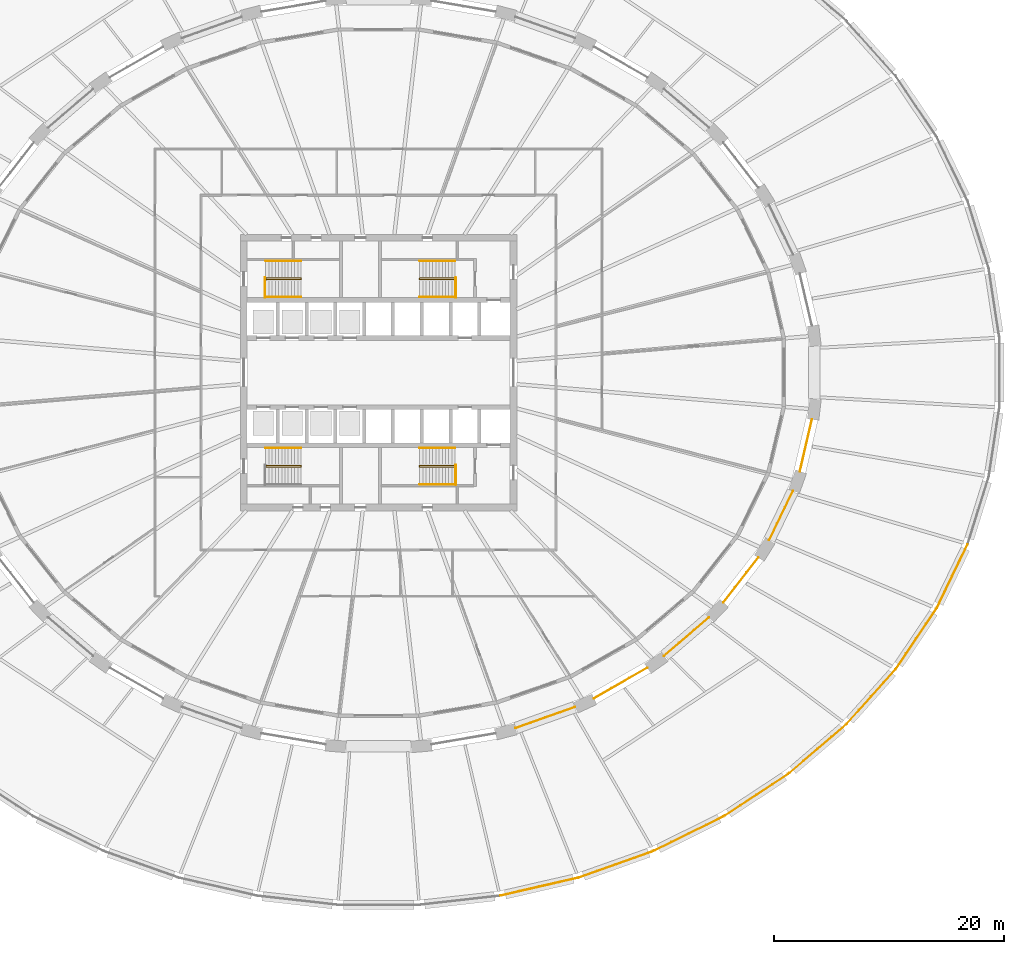
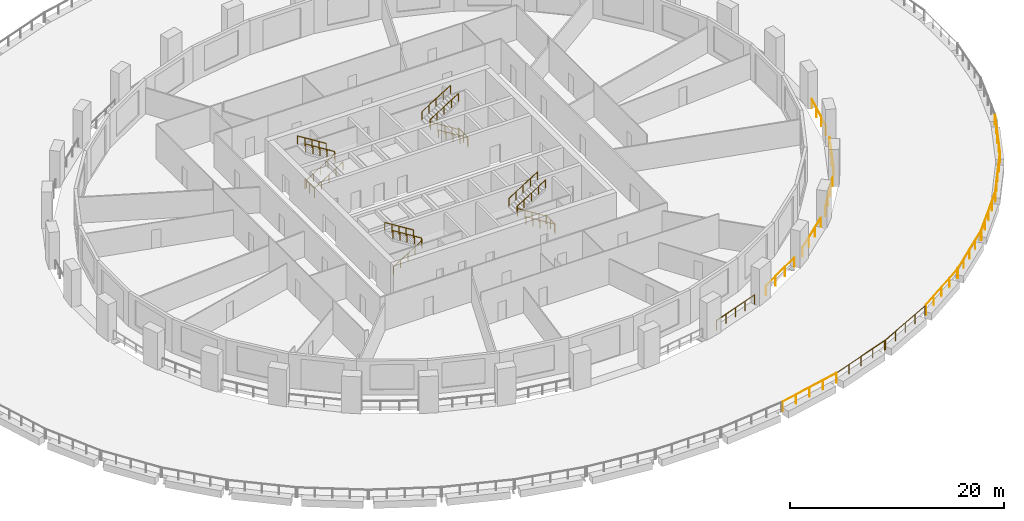
# One storey, part 13 of 16: 28 railings.
"""IFC4 building model written with IfcOpenShell, lengths in metres."""

from ifc_helpers import new_model, si_unit, direction, frame, origin, origin_2d, place, context, subcontext, project, spatial, circle, extrude, material, type_object, element, save


model = new_model("IFC4")

# Units and contexts
model_context = context("Model", 3, precision=1e-05, world=origin(), true_north=direction((0.0, 1.0)))
body_context = subcontext(model_context, "Body", "Model", "MODEL_VIEW")
ifc_project = project(units=[si_unit("LENGTHUNIT", "METRE"), si_unit("AREAUNIT", "SQUARE_METRE"), si_unit("VOLUMEUNIT", "CUBIC_METRE"), si_unit("PLANEANGLEUNIT", "RADIAN"), si_unit("MASSUNIT", "GRAM", prefix="KILO")], contexts=[model_context])

# Site, building, storey
site_placement = place(None, origin())
site = spatial("IfcSite", under=ifc_project, at=site_placement, CompositionType="ELEMENT")
building_placement = place(site_placement, origin())
building = spatial("IfcBuilding", under=site, at=building_placement, Name="Halqa Exchange Tower", CompositionType="ELEMENT")
storey_placement = place(building_placement, frame((0.0, 0.0, 23.5)))
storey = spatial("IfcBuildingStorey", under=building, at=storey_placement, Name="L04", CompositionType="ELEMENT", Elevation=23.5)

# Railings
ifc_material = material(Name="Stainless steel", Category="steel")
railing_type_1 = type_object("IfcRailingType", Name="Guard 1100 stainless steel", PredefinedType="GUARDRAIL", material=ifc_material)
railing_1_placement = place(storey_placement, frame((11.87890625, -30.867919921875, 0.0)))
element("IfcRailing", 1, at=railing_1_placement, inside=storey, type_object=railing_type_1, Name="Loggia guard 26", PredefinedType="GUARDRAIL", context=body_context, shape_type="SweptSolid", body=[
    extrude(circle(Radius=0.02392578125, at=origin_2d()), frame((0.0, 0.0, 1.076171875), z_axis=(0.942364586874, 0.334587784305, 0.0), x_axis=(-0.334587784305, 0.942364586874, 0.0)), (0.0, 0.0, 1.0), 5.503173828125),
    extrude(circle(Radius=0.02099609375, at=origin_2d()), origin(), (0.0, 0.0, 1.0), 1.052001953125),
    extrude(circle(Radius=0.02099609375, at=origin_2d()), frame((1.29638671875, 0.46044921875, 0.0)), (0.0, 0.0, 1.0), 1.052001953125),
    extrude(circle(Radius=0.02099609375, at=origin_2d()), frame((2.593017578125, 0.920654296875, 0.0)), (0.0, 0.0, 1.0), 1.052001953125),
    extrude(circle(Radius=0.02099609375, at=origin_2d()), frame((3.8896484375, 1.380859375, 0.0)), (0.0, 0.0, 1.0), 1.052001953125),
    extrude(circle(Radius=0.02099609375, at=origin_2d()), frame((5.18603515625, 1.84130859375, 0.0)), (0.0, 0.0, 1.0), 1.052001953125),
])
railing_2_placement = place(storey_placement, frame((18.694091796875, -28.278076171875, 0.0)))
element("IfcRailing", 2, at=railing_2_placement, inside=storey, type_object=railing_type_1, Name="Loggia guard 27", PredefinedType="GUARDRAIL", context=body_context, shape_type="SweptSolid", body=[
    extrude(circle(Radius=0.02392578125, at=origin_2d()), frame((0.0, 0.0, 1.076171875), z_axis=(0.867752964109, 0.496995767869, 0.0), x_axis=(-0.496995767869, 0.867752964109, 0.0)), (0.0, 0.0, 1.0), 5.337646484375),
    extrude(circle(Radius=0.02099609375, at=origin_2d()), origin(), (0.0, 0.0, 1.0), 1.052001953125),
    extrude(circle(Radius=0.02099609375, at=origin_2d()), frame((1.5439453125, 0.88427734375, 0.0)), (0.0, 0.0, 1.0), 1.052001953125),
    extrude(circle(Radius=0.02099609375, at=origin_2d()), frame((3.087890625, 1.7685546875, 0.0)), (0.0, 0.0, 1.0), 1.052001953125),
    extrude(circle(Radius=0.02099609375, at=origin_2d()), frame((4.6318359375, 2.65283203125, 0.0)), (0.0, 0.0, 1.0), 1.052001953125),
])
railing_3_placement = place(storey_placement, frame((24.790283203125, -24.59228515625, 0.0)))
element("IfcRailing", 3, at=railing_3_placement, inside=storey, type_object=railing_type_1, Name="Loggia guard 28", PredefinedType="GUARDRAIL", context=body_context, shape_type="SweptSolid", body=[
    extrude(circle(Radius=0.02392578125, at=origin_2d()), frame((0.0, 0.0, 1.076171875), z_axis=(0.759266665229, 0.650779633265, 0.0), x_axis=(-0.650779633265, 0.759266665229, 0.0)), (0.0, 0.0, 1.0), 5.1376953125),
    extrude(circle(Radius=0.02099609375, at=origin_2d()), origin(), (0.0, 0.0, 1.0), 1.052001953125),
    extrude(circle(Radius=0.02099609375, at=origin_2d()), frame((1.30029296875, 1.114501953125, 0.0)), (0.0, 0.0, 1.0), 1.052001953125),
    extrude(circle(Radius=0.02099609375, at=origin_2d()), frame((2.6005859375, 2.22900390625, 0.0)), (0.0, 0.0, 1.0), 1.052001953125),
    extrude(circle(Radius=0.02099609375, at=origin_2d()), frame((3.90087890625, 3.343505859375, 0.0)), (0.0, 0.0, 1.0), 1.052001953125),
])
railing_4_placement = place(storey_placement, frame((29.927734375, -19.953369140625, 0.0)))
element("IfcRailing", 4, at=railing_4_placement, inside=storey, type_object=railing_type_1, Name="Loggia guard 29", PredefinedType="GUARDRAIL", context=body_context, shape_type="SweptSolid", body=[
    extrude(circle(Radius=0.02392578125, at=origin_2d()), frame((0.0, 0.0, 1.076171875), z_axis=(0.614810778124, 0.78867465225, 0.0), x_axis=(-0.78867465225, 0.614810778124, 0.0)), (0.0, 0.0, 1.0), 4.931640625),
    extrude(circle(Radius=0.02099609375, at=origin_2d()), origin(), (0.0, 0.0, 1.0), 1.052001953125),
    extrude(circle(Radius=0.02099609375, at=origin_2d()), frame((1.0107421875, 1.29638671875, 0.0)), (0.0, 0.0, 1.0), 1.052001953125),
    extrude(circle(Radius=0.02099609375, at=origin_2d()), frame((2.021240234375, 2.593017578125, 0.0)), (0.0, 0.0, 1.0), 1.052001953125),
    extrude(circle(Radius=0.02099609375, at=origin_2d()), frame((3.031982421875, 3.889404296875, 0.0)), (0.0, 0.0, 1.0), 1.052001953125),
])
railing_5_placement = place(storey_placement, frame((33.904541015625, -14.543701171875, 0.0)))
element("IfcRailing", 5, at=railing_5_placement, inside=storey, type_object=railing_type_1, Name="Loggia guard 30", PredefinedType="GUARDRAIL", context=body_context, shape_type="SweptSolid", body=[
    extrude(circle(Radius=0.02392578125, at=origin_2d()), frame((0.0, 0.0, 1.076171875), z_axis=(0.435129787392, 0.900367740495, 0.0), x_axis=(-0.900367740495, 0.435129787392, 0.0)), (0.0, 0.0, 1.0), 4.751708984375),
    extrude(circle(Radius=0.02099609375, at=origin_2d()), origin(), (0.0, 0.0, 1.0), 1.052001953125),
    extrude(circle(Radius=0.02099609375, at=origin_2d()), frame((0.689208984375, 1.426025390625, 0.0)), (0.0, 0.0, 1.0), 1.052001953125),
    extrude(circle(Radius=0.02099609375, at=origin_2d()), frame((1.37841796875, 2.852294921875, 0.0)), (0.0, 0.0, 1.0), 1.052001953125),
    extrude(circle(Radius=0.02099609375, at=origin_2d()), frame((2.067626953125, 4.2783203125, 0.0)), (0.0, 0.0, 1.0), 1.052001953125),
])
railing_6_placement = place(storey_placement, frame((36.567138671875, -8.578369140625, 0.0)))
element("IfcRailing", 6, at=railing_6_placement, inside=storey, type_object=railing_type_1, Name="Loggia guard 31", PredefinedType="GUARDRAIL", context=body_context, shape_type="SweptSolid", body=[
    extrude(circle(Radius=0.02392578125, at=origin_2d()), frame((0.0, 0.0, 1.076171875), z_axis=(0.22605731834, 0.974114001965, 0.0), x_axis=(-0.974114001965, 0.22605731834, 0.0)), (0.0, 0.0, 1.0), 4.62890625),
    extrude(circle(Radius=0.02099609375, at=origin_2d()), origin(), (0.0, 0.0, 1.0), 1.052001953125),
    extrude(circle(Radius=0.02099609375, at=origin_2d()), frame((0.348876953125, 1.5029296875, 0.0)), (0.0, 0.0, 1.0), 1.052001953125),
    extrude(circle(Radius=0.02099609375, at=origin_2d()), frame((0.697509765625, 3.006103515625, 0.0)), (0.0, 0.0, 1.0), 1.052001953125),
    extrude(circle(Radius=0.02099609375, at=origin_2d()), frame((1.04638671875, 4.509033203125, 0.0)), (0.0, 0.0, 1.0), 1.052001953125),
])
railing_7_placement = place(storey_placement, frame((10.59326171875, -45.39697265625, 0.0)))
element("IfcRailing", 7, at=railing_7_placement, inside=storey, type_object=railing_type_1, Name="Terrace guard 38", PredefinedType="GUARDRAIL", context=body_context, shape_type="SweptSolid", body=[
    extrude(circle(Radius=0.02392578125, at=origin_2d()), frame((0.0, 0.0, 1.076171875), z_axis=(0.974614368712, 0.223890223772, 0.0), x_axis=(-0.223890223772, 0.974614368712, 0.0)), (0.0, 0.0, 1.0), 6.880615234375),
    extrude(circle(Radius=0.02099609375, at=origin_2d()), origin(), (0.0, 0.0, 1.0), 1.052001953125),
    extrude(circle(Radius=0.02099609375, at=origin_2d()), frame((1.676513671875, 0.38525390625, 0.0)), (0.0, 0.0, 1.0), 1.052001953125),
    extrude(circle(Radius=0.02099609375, at=origin_2d()), frame((3.35302734375, 0.770263671875, 0.0)), (0.0, 0.0, 1.0), 1.052001953125),
    extrude(circle(Radius=0.02099609375, at=origin_2d()), frame((5.029541015625, 1.1552734375, 0.0)), (0.0, 0.0, 1.0), 1.052001953125),
    extrude(circle(Radius=0.02099609375, at=origin_2d()), frame((6.7060546875, 1.54052734375, 0.0)), (0.0, 0.0, 1.0), 1.052001953125),
])
railing_8_placement = place(storey_placement, frame((17.414306640625, -43.82275390625, 0.0)))
element("IfcRailing", 8, at=railing_8_placement, inside=storey, type_object=railing_type_1, Name="Terrace guard 39", PredefinedType="GUARDRAIL", context=body_context, shape_type="SweptSolid", body=[
    extrude(circle(Radius=0.02392578125, at=origin_2d()), frame((0.0, 0.0, 1.076171875), z_axis=(0.942332150503, 0.334679127119, 0.0), x_axis=(-0.334679127119, 0.942332150503, 0.0)), (0.0, 0.0, 1.0), 6.80517578125),
    extrude(circle(Radius=0.02099609375, at=origin_2d()), origin(), (0.0, 0.0, 1.0), 1.052001953125),
    extrude(circle(Radius=0.02099609375, at=origin_2d()), frame((1.603271484375, 0.5693359375, 0.0)), (0.0, 0.0, 1.0), 1.052001953125),
    extrude(circle(Radius=0.02099609375, at=origin_2d()), frame((3.20654296875, 1.138671875, 0.0)), (0.0, 0.0, 1.0), 1.052001953125),
    extrude(circle(Radius=0.02099609375, at=origin_2d()), frame((4.8095703125, 1.708251953125, 0.0)), (0.0, 0.0, 1.0), 1.052001953125),
    extrude(circle(Radius=0.02099609375, at=origin_2d()), frame((6.412841796875, 2.277587890625, 0.0)), (0.0, 0.0, 1.0), 1.052001953125),
])
railing_9_placement = place(storey_placement, frame((23.937255859375, -41.49853515625, 0.0)))
element("IfcRailing", 9, at=railing_9_placement, inside=storey, type_object=railing_type_1, Name="Terrace guard 40", PredefinedType="GUARDRAIL", context=body_context, shape_type="SweptSolid", body=[
    extrude(circle(Radius=0.02392578125, at=origin_2d()), frame((0.0, 0.0, 1.076171875), z_axis=(0.896211273818, 0.443627493154, 0.0), x_axis=(-0.443627493154, 0.896211273818, 0.0)), (0.0, 0.0, 1.0), 6.705810546875),
    extrude(circle(Radius=0.02099609375, at=origin_2d()), origin(), (0.0, 0.0, 1.0), 1.052001953125),
    extrude(circle(Radius=0.02099609375, at=origin_2d()), frame((1.50244140625, 0.74365234375, 0.0)), (0.0, 0.0, 1.0), 1.052001953125),
    extrude(circle(Radius=0.02099609375, at=origin_2d()), frame((3.0048828125, 1.4873046875, 0.0)), (0.0, 0.0, 1.0), 1.052001953125),
    extrude(circle(Radius=0.02099609375, at=origin_2d()), frame((4.50732421875, 2.231201171875, 0.0)), (0.0, 0.0, 1.0), 1.052001953125),
    extrude(circle(Radius=0.02099609375, at=origin_2d()), frame((6.009765625, 2.974853515625, 0.0)), (0.0, 0.0, 1.0), 1.052001953125),
])
railing_10_placement = place(storey_placement, frame((30.051025390625, -38.464111328125, 0.0)))
element("IfcRailing", 10, at=railing_10_placement, inside=storey, type_object=railing_type_1, Name="Terrace guard 41", PredefinedType="GUARDRAIL", context=body_context, shape_type="SweptSolid", body=[
    extrude(circle(Radius=0.02392578125, at=origin_2d()), frame((0.0, 0.0, 1.076171875), z_axis=(0.835415738884, 0.549618543379, 0.0), x_axis=(-0.549618543379, 0.835415738884, 0.0)), (0.0, 0.0, 1.0), 6.587890625),
    extrude(circle(Radius=0.02099609375, at=origin_2d()), origin(), (0.0, 0.0, 1.0), 1.052001953125),
    extrude(circle(Radius=0.02099609375, at=origin_2d()), frame((1.3759765625, 0.9052734375, 0.0)), (0.0, 0.0, 1.0), 1.052001953125),
    extrude(circle(Radius=0.02099609375, at=origin_2d()), frame((2.751953125, 1.810546875, 0.0)), (0.0, 0.0, 1.0), 1.052001953125),
    extrude(circle(Radius=0.02099609375, at=origin_2d()), frame((4.127685546875, 2.715576171875, 0.0)), (0.0, 0.0, 1.0), 1.052001953125),
    extrude(circle(Radius=0.02099609375, at=origin_2d()), frame((5.503662109375, 3.620849609375, 0.0)), (0.0, 0.0, 1.0), 1.052001953125),
])
railing_11_placement = place(storey_placement, frame((35.650146484375, -34.771240234375, 0.0)))
element("IfcRailing", 11, at=railing_11_placement, inside=storey, type_object=railing_type_1, Name="Terrace guard 42", PredefinedType="GUARDRAIL", context=body_context, shape_type="SweptSolid", body=[
    extrude(circle(Radius=0.02392578125, at=origin_2d()), frame((0.0, 0.0, 1.076171875), z_axis=(0.759139199073, 0.650928318966, 0.0), x_axis=(-0.650928318966, 0.759139199073, 0.0)), (0.0, 0.0, 1.0), 6.45947265625),
    extrude(circle(Radius=0.02099609375, at=origin_2d()), origin(), (0.0, 0.0, 1.0), 1.052001953125),
    extrude(circle(Radius=0.02099609375, at=origin_2d()), frame((1.225830078125, 1.05126953125, 0.0)), (0.0, 0.0, 1.0), 1.052001953125),
    extrude(circle(Radius=0.02099609375, at=origin_2d()), frame((2.45166015625, 2.102294921875, 0.0)), (0.0, 0.0, 1.0), 1.052001953125),
    extrude(circle(Radius=0.02099609375, at=origin_2d()), frame((3.677734375, 3.1533203125, 0.0)), (0.0, 0.0, 1.0), 1.052001953125),
    extrude(circle(Radius=0.02099609375, at=origin_2d()), frame((4.903564453125, 4.20458984375, 0.0)), (0.0, 0.0, 1.0), 1.052001953125),
])
railing_12_placement = place(storey_placement, frame((40.639404296875, -30.48291015625, 0.0)))
element("IfcRailing", 12, at=railing_12_placement, inside=storey, type_object=railing_type_1, Name="Terrace guard 43", PredefinedType="GUARDRAIL", context=body_context, shape_type="SweptSolid", body=[
    extrude(circle(Radius=0.02392578125, at=origin_2d()), frame((0.0, 0.0, 1.076171875), z_axis=(0.666881693057, 0.745163611206, 0.0), x_axis=(-0.745163611206, 0.666881693057, 0.0)), (0.0, 0.0, 1.0), 6.327880859375),
    extrude(circle(Radius=0.02099609375, at=origin_2d()), origin(), (0.0, 0.0, 1.0), 1.052001953125),
    extrude(circle(Radius=0.02099609375, at=origin_2d()), frame((1.054931640625, 1.1787109375, 0.0)), (0.0, 0.0, 1.0), 1.052001953125),
    extrude(circle(Radius=0.02099609375, at=origin_2d()), frame((2.10986328125, 2.357666015625, 0.0)), (0.0, 0.0, 1.0), 1.052001953125),
    extrude(circle(Radius=0.02099609375, at=origin_2d()), frame((3.1650390625, 3.53662109375, 0.0)), (0.0, 0.0, 1.0), 1.052001953125),
    extrude(circle(Radius=0.02099609375, at=origin_2d()), frame((4.219970703125, 4.71533203125, 0.0)), (0.0, 0.0, 1.0), 1.052001953125),
])
railing_13_placement = place(storey_placement, frame((44.932861328125, -25.673095703125, 0.0)))
element("IfcRailing", 13, at=railing_13_placement, inside=storey, type_object=railing_type_1, Name="Terrace guard 44", PredefinedType="GUARDRAIL", context=body_context, shape_type="SweptSolid", body=[
    extrude(circle(Radius=0.02392578125, at=origin_2d()), frame((0.0, 0.0, 1.076171875), z_axis=(0.558563355694, 0.82946186029, 0.0), x_axis=(-0.82946186029, 0.558563355694, 0.0)), (0.0, 0.0, 1.0), 6.203125),
    extrude(circle(Radius=0.02099609375, at=origin_2d()), origin(), (0.0, 0.0, 1.0), 1.052001953125),
    extrude(circle(Radius=0.02099609375, at=origin_2d()), frame((0.8662109375, 1.286376953125, 0.0)), (0.0, 0.0, 1.0), 1.052001953125),
    extrude(circle(Radius=0.02099609375, at=origin_2d()), frame((1.732421875, 2.57275390625, 0.0)), (0.0, 0.0, 1.0), 1.052001953125),
    extrude(circle(Radius=0.02099609375, at=origin_2d()), frame((2.5986328125, 3.85888671875, 0.0)), (0.0, 0.0, 1.0), 1.052001953125),
    extrude(circle(Radius=0.02099609375, at=origin_2d()), frame((3.46484375, 5.145263671875, 0.0)), (0.0, 0.0, 1.0), 1.052001953125),
])
railing_14_placement = place(storey_placement, frame((48.457275390625, -20.424072265625, 0.0)))
element("IfcRailing", 14, at=railing_14_placement, inside=storey, type_object=railing_type_1, Name="Terrace guard 45", PredefinedType="GUARDRAIL", context=body_context, shape_type="SweptSolid", body=[
    extrude(circle(Radius=0.02392578125, at=origin_2d()), frame((0.0, 0.0, 1.076171875), z_axis=(0.43497759406, 0.900441276634, 0.0), x_axis=(-0.900441276634, 0.43497759406, 0.0)), (0.0, 0.0, 1.0), 6.09423828125),
    extrude(circle(Radius=0.02099609375, at=origin_2d()), origin(), (0.0, 0.0, 1.0), 1.052001953125),
    extrude(circle(Radius=0.02099609375, at=origin_2d()), frame((0.66259765625, 1.371826171875, 0.0)), (0.0, 0.0, 1.0), 1.052001953125),
    extrude(circle(Radius=0.02099609375, at=origin_2d()), frame((1.325439453125, 2.74365234375, 0.0)), (0.0, 0.0, 1.0), 1.052001953125),
    extrude(circle(Radius=0.02099609375, at=origin_2d()), frame((1.98828125, 4.11572265625, 0.0)), (0.0, 0.0, 1.0), 1.052001953125),
    extrude(circle(Radius=0.02099609375, at=origin_2d()), frame((2.65087890625, 5.487548828125, 0.0)), (0.0, 0.0, 1.0), 1.052001953125),
])
railing_type_2 = type_object("IfcRailingType", Name="Stair handrail 900", PredefinedType="HANDRAIL", material=ifc_material)
railing_15_placement = place(storey_placement, frame((-9.800048828125, 8.06005859375, 0.175048828125)))
element("IfcRailing", 15, at=railing_15_placement, inside=storey, type_object=railing_type_2, Name="Handrail ST1.1", PredefinedType="HANDRAIL", context=body_context, shape_type="SweptSolid", body=[
    extrude(circle(Radius=0.02392578125, at=origin_2d()), frame((0.0, 0.0, 0.8759765625), z_axis=(0.847998304005, 0.0, 0.529998940003), x_axis=(0.0, 1.0, 0.0)), (0.0, 0.0, 1.0), 3.632080078125),
    extrude(circle(Radius=0.02392578125, at=origin_2d()), frame((3.080078125, 0.0, 2.80078125), z_axis=(0.0, 0.596406559517, 0.802682512433), x_axis=(-1.0, 0.0, 0.0)), (0.0, 0.0, 1.0), 0.2177734375),
    extrude(circle(Radius=0.02392578125, at=origin_2d()), frame((3.080078125, 0.1298828125, 2.9755859375), z_axis=(-0.847998304005, 0.0, 0.529998940003), x_axis=(0.0, -1.0, 0.0)), (0.0, 0.0, 1.0), 3.632080078125),
    extrude(circle(Radius=0.02099609375, at=origin_2d()), origin(), (0.0, 0.0, 1.0), 0.851806640625),
    extrude(circle(Radius=0.02099609375, at=origin_2d()), frame((0.77001953125, 0.0, 0.481201171875)), (0.0, 0.0, 1.0), 0.851806640625),
    extrude(circle(Radius=0.02099609375, at=origin_2d()), frame((1.5400390625, 0.0, 0.96240234375)), (0.0, 0.0, 1.0), 0.851806640625),
    extrude(circle(Radius=0.02099609375, at=origin_2d()), frame((2.31005859375, 0.0, 1.44384765625)), (0.0, 0.0, 1.0), 0.851806640625),
    extrude(circle(Radius=0.02099609375, at=origin_2d()), frame((3.080078125, 0.0, 1.925048828125)), (0.0, 0.0, 1.0), 0.851806640625),
    extrude(circle(Radius=0.02099609375, at=origin_2d()), frame((3.080078125, 0.1298828125, 2.099853515625)), (0.0, 0.0, 1.0), 0.851806640625),
    extrude(circle(Radius=0.02099609375, at=origin_2d()), frame((2.31005859375, 0.1298828125, 2.5810546875)), (0.0, 0.0, 1.0), 0.851806640625),
    extrude(circle(Radius=0.02099609375, at=origin_2d()), frame((1.5400390625, 0.1298828125, 3.0625)), (0.0, 0.0, 1.0), 0.851806640625),
    extrude(circle(Radius=0.02099609375, at=origin_2d()), frame((0.77001953125, 0.1298828125, 3.543701171875)), (0.0, 0.0, 1.0), 0.851806640625),
    extrude(circle(Radius=0.02099609375, at=origin_2d()), frame((0.0, 0.1298828125, 4.02490234375)), (0.0, 0.0, 1.0), 0.851806640625),
])
railing_16_placement = place(storey_placement, frame((-9.800048828125, 6.550048828125, 0.175048828125)))
element("IfcRailing", 16, at=railing_16_placement, inside=storey, type_object=railing_type_2, Name="Handrail ST1.2", PredefinedType="HANDRAIL", context=body_context, shape_type="SweptSolid", body=[
    extrude(circle(Radius=0.02392578125, at=origin_2d()), frame((0.0, 0.0, 0.8759765625), z_axis=(0.847998304005, 0.0, 0.529998940003), x_axis=(0.0, 1.0, 0.0)), (0.0, 0.0, 1.0), 3.632080078125),
    extrude(circle(Radius=0.02099609375, at=origin_2d()), origin(), (0.0, 0.0, 1.0), 0.851806640625),
    extrude(circle(Radius=0.02099609375, at=origin_2d()), frame((0.77001953125, 0.0, 0.481201171875)), (0.0, 0.0, 1.0), 0.851806640625),
    extrude(circle(Radius=0.02099609375, at=origin_2d()), frame((1.5400390625, 0.0, 0.96240234375)), (0.0, 0.0, 1.0), 0.851806640625),
    extrude(circle(Radius=0.02099609375, at=origin_2d()), frame((2.31005859375, 0.0, 1.44384765625)), (0.0, 0.0, 1.0), 0.851806640625),
    extrude(circle(Radius=0.02099609375, at=origin_2d()), frame((3.080078125, 0.0, 1.925048828125)), (0.0, 0.0, 1.0), 0.851806640625),
])
railing_17_placement = place(storey_placement, frame((-6.719970703125, 9.699951171875, 2.27490234375)))
element("IfcRailing", 17, at=railing_17_placement, inside=storey, type_object=railing_type_2, Name="Handrail ST1.3", PredefinedType="HANDRAIL", context=body_context, shape_type="SweptSolid", body=[
    extrude(circle(Radius=0.02392578125, at=origin_2d()), frame((0.0, 0.0, 0.8759765625), z_axis=(-0.847998304005, 0.0, 0.529998940003), x_axis=(0.0, -1.0, 0.0)), (0.0, 0.0, 1.0), 3.632080078125),
    extrude(circle(Radius=0.02099609375, at=origin_2d()), origin(), (0.0, 0.0, 1.0), 0.851806640625),
    extrude(circle(Radius=0.02099609375, at=origin_2d()), frame((-0.77001953125, 0.0, 0.481201171875)), (0.0, 0.0, 1.0), 0.851806640625),
    extrude(circle(Radius=0.02099609375, at=origin_2d()), frame((-1.5400390625, 0.0, 0.96240234375)), (0.0, 0.0, 1.0), 0.851806640625),
    extrude(circle(Radius=0.02099609375, at=origin_2d()), frame((-2.31005859375, 0.0, 1.44384765625)), (0.0, 0.0, 1.0), 0.851806640625),
    extrude(circle(Radius=0.02099609375, at=origin_2d()), frame((-3.080078125, 0.0, 1.925048828125)), (0.0, 0.0, 1.0), 0.851806640625),
])
railing_18_placement = place(storey_placement, frame((6.64990234375, 8.06005859375, 0.175048828125)))
element("IfcRailing", 18, at=railing_18_placement, inside=storey, type_object=railing_type_2, Name="Handrail ST2.1", PredefinedType="HANDRAIL", context=body_context, shape_type="SweptSolid", body=[
    extrude(circle(Radius=0.02392578125, at=origin_2d()), frame((0.0, 0.0, 0.8759765625), z_axis=(-0.847979421464, 0.0, 0.530029150871), x_axis=(0.0, -1.0, 0.0)), (0.0, 0.0, 1.0), 3.632080078125),
    extrude(circle(Radius=0.02392578125, at=origin_2d()), frame((-3.079833984375, 0.0, 2.80078125), z_axis=(0.0, 0.596406559517, 0.802682512433), x_axis=(-1.0, 0.0, 0.0)), (0.0, 0.0, 1.0), 0.2177734375),
    extrude(circle(Radius=0.02392578125, at=origin_2d()), frame((-3.079833984375, 0.1298828125, 2.9755859375), z_axis=(0.847979421464, 0.0, 0.530029150871), x_axis=(0.0, 1.0, 0.0)), (0.0, 0.0, 1.0), 3.632080078125),
    extrude(circle(Radius=0.02099609375, at=origin_2d()), origin(), (0.0, 0.0, 1.0), 0.851806640625),
    extrude(circle(Radius=0.02099609375, at=origin_2d()), frame((-0.77001953125, 0.0, 0.481201171875)), (0.0, 0.0, 1.0), 0.851806640625),
    extrude(circle(Radius=0.02099609375, at=origin_2d()), frame((-1.5400390625, 0.0, 0.96240234375)), (0.0, 0.0, 1.0), 0.851806640625),
    extrude(circle(Radius=0.02099609375, at=origin_2d()), frame((-2.309814453125, 0.0, 1.44384765625)), (0.0, 0.0, 1.0), 0.851806640625),
    extrude(circle(Radius=0.02099609375, at=origin_2d()), frame((-3.079833984375, 0.0, 1.925048828125)), (0.0, 0.0, 1.0), 0.851806640625),
    extrude(circle(Radius=0.02099609375, at=origin_2d()), frame((-3.079833984375, 0.1298828125, 2.099853515625)), (0.0, 0.0, 1.0), 0.851806640625),
    extrude(circle(Radius=0.02099609375, at=origin_2d()), frame((-2.309814453125, 0.1298828125, 2.5810546875)), (0.0, 0.0, 1.0), 0.851806640625),
    extrude(circle(Radius=0.02099609375, at=origin_2d()), frame((-1.5400390625, 0.1298828125, 3.0625)), (0.0, 0.0, 1.0), 0.851806640625),
    extrude(circle(Radius=0.02099609375, at=origin_2d()), frame((-0.77001953125, 0.1298828125, 3.543701171875)), (0.0, 0.0, 1.0), 0.851806640625),
    extrude(circle(Radius=0.02099609375, at=origin_2d()), frame((0.0, 0.1298828125, 4.02490234375)), (0.0, 0.0, 1.0), 0.851806640625),
])
railing_19_placement = place(storey_placement, frame((6.64990234375, 6.550048828125, 0.175048828125)))
element("IfcRailing", 19, at=railing_19_placement, inside=storey, type_object=railing_type_2, Name="Handrail ST2.2", PredefinedType="HANDRAIL", context=body_context, shape_type="SweptSolid", body=[
    extrude(circle(Radius=0.02392578125, at=origin_2d()), frame((0.0, 0.0, 0.8759765625), z_axis=(-0.847979421464, 0.0, 0.530029150871), x_axis=(0.0, -1.0, 0.0)), (0.0, 0.0, 1.0), 3.632080078125),
    extrude(circle(Radius=0.02099609375, at=origin_2d()), origin(), (0.0, 0.0, 1.0), 0.851806640625),
    extrude(circle(Radius=0.02099609375, at=origin_2d()), frame((-0.77001953125, 0.0, 0.481201171875)), (0.0, 0.0, 1.0), 0.851806640625),
    extrude(circle(Radius=0.02099609375, at=origin_2d()), frame((-1.5400390625, 0.0, 0.96240234375)), (0.0, 0.0, 1.0), 0.851806640625),
    extrude(circle(Radius=0.02099609375, at=origin_2d()), frame((-2.309814453125, 0.0, 1.44384765625)), (0.0, 0.0, 1.0), 0.851806640625),
    extrude(circle(Radius=0.02099609375, at=origin_2d()), frame((-3.079833984375, 0.0, 1.925048828125)), (0.0, 0.0, 1.0), 0.851806640625),
])
railing_20_placement = place(storey_placement, frame((3.570068359375, 9.699951171875, 2.27490234375)))
element("IfcRailing", 20, at=railing_20_placement, inside=storey, type_object=railing_type_2, Name="Handrail ST2.3", PredefinedType="HANDRAIL", context=body_context, shape_type="SweptSolid", body=[
    extrude(circle(Radius=0.02392578125, at=origin_2d()), frame((0.0, 0.0, 0.8759765625), z_axis=(0.847979421464, 0.0, 0.530029150871), x_axis=(0.0, 1.0, 0.0)), (0.0, 0.0, 1.0), 3.632080078125),
    extrude(circle(Radius=0.02099609375, at=origin_2d()), origin(), (0.0, 0.0, 1.0), 0.851806640625),
    extrude(circle(Radius=0.02099609375, at=origin_2d()), frame((0.77001953125, 0.0, 0.481201171875)), (0.0, 0.0, 1.0), 0.851806640625),
    extrude(circle(Radius=0.02099609375, at=origin_2d()), frame((1.5400390625, 0.0, 0.96240234375)), (0.0, 0.0, 1.0), 0.851806640625),
    extrude(circle(Radius=0.02099609375, at=origin_2d()), frame((2.309814453125, 0.0, 1.44384765625)), (0.0, 0.0, 1.0), 0.851806640625),
    extrude(circle(Radius=0.02099609375, at=origin_2d()), frame((3.079833984375, 0.0, 1.925048828125)), (0.0, 0.0, 1.0), 0.851806640625),
])
railing_21_placement = place(storey_placement, frame((-9.800048828125, -8.18994140625, 0.175048828125)))
element("IfcRailing", 21, at=railing_21_placement, inside=storey, type_object=railing_type_2, Name="Handrail ST3.1", PredefinedType="HANDRAIL", context=body_context, shape_type="SweptSolid", body=[
    extrude(circle(Radius=0.02392578125, at=origin_2d()), frame((0.0, 0.0, 0.8759765625), z_axis=(0.847998304005, 0.0, 0.529998940003), x_axis=(0.0, 1.0, 0.0)), (0.0, 0.0, 1.0), 3.632080078125),
    extrude(circle(Radius=0.02392578125, at=origin_2d()), frame((3.080078125, 0.0, 2.80078125), z_axis=(0.0, 0.596406559517, 0.802682512433), x_axis=(-1.0, 0.0, 0.0)), (0.0, 0.0, 1.0), 0.2177734375),
    extrude(circle(Radius=0.02392578125, at=origin_2d()), frame((3.080078125, 0.1298828125, 2.9755859375), z_axis=(-0.847998304005, 0.0, 0.529998940003), x_axis=(0.0, -1.0, 0.0)), (0.0, 0.0, 1.0), 3.632080078125),
    extrude(circle(Radius=0.02099609375, at=origin_2d()), origin(), (0.0, 0.0, 1.0), 0.851806640625),
    extrude(circle(Radius=0.02099609375, at=origin_2d()), frame((0.77001953125, 0.0, 0.481201171875)), (0.0, 0.0, 1.0), 0.851806640625),
    extrude(circle(Radius=0.02099609375, at=origin_2d()), frame((1.5400390625, 0.0, 0.96240234375)), (0.0, 0.0, 1.0), 0.851806640625),
    extrude(circle(Radius=0.02099609375, at=origin_2d()), frame((2.31005859375, 0.0, 1.44384765625)), (0.0, 0.0, 1.0), 0.851806640625),
    extrude(circle(Radius=0.02099609375, at=origin_2d()), frame((3.080078125, 0.0, 1.925048828125)), (0.0, 0.0, 1.0), 0.851806640625),
    extrude(circle(Radius=0.02099609375, at=origin_2d()), frame((3.080078125, 0.1298828125, 2.099853515625)), (0.0, 0.0, 1.0), 0.851806640625),
    extrude(circle(Radius=0.02099609375, at=origin_2d()), frame((2.31005859375, 0.1298828125, 2.5810546875)), (0.0, 0.0, 1.0), 0.851806640625),
    extrude(circle(Radius=0.02099609375, at=origin_2d()), frame((1.5400390625, 0.1298828125, 3.0625)), (0.0, 0.0, 1.0), 0.851806640625),
    extrude(circle(Radius=0.02099609375, at=origin_2d()), frame((0.77001953125, 0.1298828125, 3.543701171875)), (0.0, 0.0, 1.0), 0.851806640625),
    extrude(circle(Radius=0.02099609375, at=origin_2d()), frame((0.0, 0.1298828125, 4.02490234375)), (0.0, 0.0, 1.0), 0.851806640625),
])
railing_22_placement = place(storey_placement, frame((-6.719970703125, -6.550048828125, 2.27490234375)))
element("IfcRailing", 22, at=railing_22_placement, inside=storey, type_object=railing_type_2, Name="Handrail ST3.3", PredefinedType="HANDRAIL", context=body_context, shape_type="SweptSolid", body=[
    extrude(circle(Radius=0.02392578125, at=origin_2d()), frame((0.0, 0.0, 0.8759765625), z_axis=(-0.847998304005, 0.0, 0.529998940003), x_axis=(0.0, -1.0, 0.0)), (0.0, 0.0, 1.0), 3.632080078125),
    extrude(circle(Radius=0.02099609375, at=origin_2d()), origin(), (0.0, 0.0, 1.0), 0.851806640625),
    extrude(circle(Radius=0.02099609375, at=origin_2d()), frame((-0.77001953125, 0.0, 0.481201171875)), (0.0, 0.0, 1.0), 0.851806640625),
    extrude(circle(Radius=0.02099609375, at=origin_2d()), frame((-1.5400390625, 0.0, 0.96240234375)), (0.0, 0.0, 1.0), 0.851806640625),
    extrude(circle(Radius=0.02099609375, at=origin_2d()), frame((-2.31005859375, 0.0, 1.44384765625)), (0.0, 0.0, 1.0), 0.851806640625),
    extrude(circle(Radius=0.02099609375, at=origin_2d()), frame((-3.080078125, 0.0, 1.925048828125)), (0.0, 0.0, 1.0), 0.851806640625),
])
railing_23_placement = place(storey_placement, frame((6.64990234375, -8.18994140625, 0.175048828125)))
element("IfcRailing", 23, at=railing_23_placement, inside=storey, type_object=railing_type_2, Name="Handrail ST4.1", PredefinedType="HANDRAIL", context=body_context, shape_type="SweptSolid", body=[
    extrude(circle(Radius=0.02392578125, at=origin_2d()), frame((0.0, 0.0, 0.8759765625), z_axis=(-0.847979421464, 0.0, 0.530029150871), x_axis=(0.0, -1.0, 0.0)), (0.0, 0.0, 1.0), 3.632080078125),
    extrude(circle(Radius=0.02392578125, at=origin_2d()), frame((-3.079833984375, 0.0, 2.80078125), z_axis=(0.0, 0.596406559517, 0.802682512433), x_axis=(-1.0, 0.0, 0.0)), (0.0, 0.0, 1.0), 0.2177734375),
    extrude(circle(Radius=0.02392578125, at=origin_2d()), frame((-3.079833984375, 0.1298828125, 2.9755859375), z_axis=(0.847979421464, 0.0, 0.530029150871), x_axis=(0.0, 1.0, 0.0)), (0.0, 0.0, 1.0), 3.632080078125),
    extrude(circle(Radius=0.02099609375, at=origin_2d()), origin(), (0.0, 0.0, 1.0), 0.851806640625),
    extrude(circle(Radius=0.02099609375, at=origin_2d()), frame((-0.77001953125, 0.0, 0.481201171875)), (0.0, 0.0, 1.0), 0.851806640625),
    extrude(circle(Radius=0.02099609375, at=origin_2d()), frame((-1.5400390625, 0.0, 0.96240234375)), (0.0, 0.0, 1.0), 0.851806640625),
    extrude(circle(Radius=0.02099609375, at=origin_2d()), frame((-2.309814453125, 0.0, 1.44384765625)), (0.0, 0.0, 1.0), 0.851806640625),
    extrude(circle(Radius=0.02099609375, at=origin_2d()), frame((-3.079833984375, 0.0, 1.925048828125)), (0.0, 0.0, 1.0), 0.851806640625),
    extrude(circle(Radius=0.02099609375, at=origin_2d()), frame((-3.079833984375, 0.1298828125, 2.099853515625)), (0.0, 0.0, 1.0), 0.851806640625),
    extrude(circle(Radius=0.02099609375, at=origin_2d()), frame((-2.309814453125, 0.1298828125, 2.5810546875)), (0.0, 0.0, 1.0), 0.851806640625),
    extrude(circle(Radius=0.02099609375, at=origin_2d()), frame((-1.5400390625, 0.1298828125, 3.0625)), (0.0, 0.0, 1.0), 0.851806640625),
    extrude(circle(Radius=0.02099609375, at=origin_2d()), frame((-0.77001953125, 0.1298828125, 3.543701171875)), (0.0, 0.0, 1.0), 0.851806640625),
    extrude(circle(Radius=0.02099609375, at=origin_2d()), frame((0.0, 0.1298828125, 4.02490234375)), (0.0, 0.0, 1.0), 0.851806640625),
])
railing_24_placement = place(storey_placement, frame((6.64990234375, -9.699951171875, 0.175048828125)))
element("IfcRailing", 24, at=railing_24_placement, inside=storey, type_object=railing_type_2, Name="Handrail ST4.2", PredefinedType="HANDRAIL", context=body_context, shape_type="SweptSolid", body=[
    extrude(circle(Radius=0.02392578125, at=origin_2d()), frame((0.0, 0.0, 0.8759765625), z_axis=(-0.847979421464, 0.0, 0.530029150871), x_axis=(0.0, -1.0, 0.0)), (0.0, 0.0, 1.0), 3.632080078125),
    extrude(circle(Radius=0.02099609375, at=origin_2d()), origin(), (0.0, 0.0, 1.0), 0.851806640625),
    extrude(circle(Radius=0.02099609375, at=origin_2d()), frame((-0.77001953125, 0.0, 0.481201171875)), (0.0, 0.0, 1.0), 0.851806640625),
    extrude(circle(Radius=0.02099609375, at=origin_2d()), frame((-1.5400390625, 0.0, 0.96240234375)), (0.0, 0.0, 1.0), 0.851806640625),
    extrude(circle(Radius=0.02099609375, at=origin_2d()), frame((-2.309814453125, 0.0, 1.44384765625)), (0.0, 0.0, 1.0), 0.851806640625),
    extrude(circle(Radius=0.02099609375, at=origin_2d()), frame((-3.079833984375, 0.0, 1.925048828125)), (0.0, 0.0, 1.0), 0.851806640625),
])
railing_25_placement = place(storey_placement, frame((3.570068359375, -6.550048828125, 2.27490234375)))
element("IfcRailing", 25, at=railing_25_placement, inside=storey, type_object=railing_type_2, Name="Handrail ST4.3", PredefinedType="HANDRAIL", context=body_context, shape_type="SweptSolid", body=[
    extrude(circle(Radius=0.02392578125, at=origin_2d()), frame((0.0, 0.0, 0.8759765625), z_axis=(0.847979421464, 0.0, 0.530029150871), x_axis=(0.0, 1.0, 0.0)), (0.0, 0.0, 1.0), 3.632080078125),
    extrude(circle(Radius=0.02099609375, at=origin_2d()), origin(), (0.0, 0.0, 1.0), 0.851806640625),
    extrude(circle(Radius=0.02099609375, at=origin_2d()), frame((0.77001953125, 0.0, 0.481201171875)), (0.0, 0.0, 1.0), 0.851806640625),
    extrude(circle(Radius=0.02099609375, at=origin_2d()), frame((1.5400390625, 0.0, 0.96240234375)), (0.0, 0.0, 1.0), 0.851806640625),
    extrude(circle(Radius=0.02099609375, at=origin_2d()), frame((2.309814453125, 0.0, 1.44384765625)), (0.0, 0.0, 1.0), 0.851806640625),
    extrude(circle(Radius=0.02099609375, at=origin_2d()), frame((3.079833984375, 0.0, 1.925048828125)), (0.0, 0.0, 1.0), 0.851806640625),
])
railing_type_3 = type_object("IfcRailingType", Name="Stair well guard 1100", PredefinedType="GUARDRAIL", material=ifc_material)
for number, where, name in (
    (26, (-9.85009765625, 6.5, 0.0), "Guard ST1 well"),
    (27, (6.699951171875, 6.5, 0.0), "Guard ST2 well"),
    (28, (6.699951171875, -9.75, 0.0), "Guard ST4 well"),
):
    element("IfcRailing", number, at=place(storey_placement, frame(where)), inside=storey, type_object=railing_type_3, Name=name, PredefinedType="GUARDRAIL", context=body_context, shape_type="SweptSolid", body=[
        extrude(circle(Radius=0.02392578125, at=origin_2d()), frame((0.0, 0.0, 1.076171875), z_axis=(0.0, 1.0, 0.0), x_axis=(-1.0, 0.0, 0.0)), (0.0, 0.0, 1.0), 1.75),
        extrude(circle(Radius=0.02099609375, at=origin_2d()), origin(), (0.0, 0.0, 1.0), 1.052001953125),
        extrude(circle(Radius=0.02099609375, at=origin_2d()), frame((0.0, 0.875, 0.0)), (0.0, 0.0, 1.0), 1.052001953125),
        extrude(circle(Radius=0.02099609375, at=origin_2d()), frame((0.0, 1.75, 0.0)), (0.0, 0.0, 1.0), 1.052001953125),
    ])

save(model, "model.ifc")
